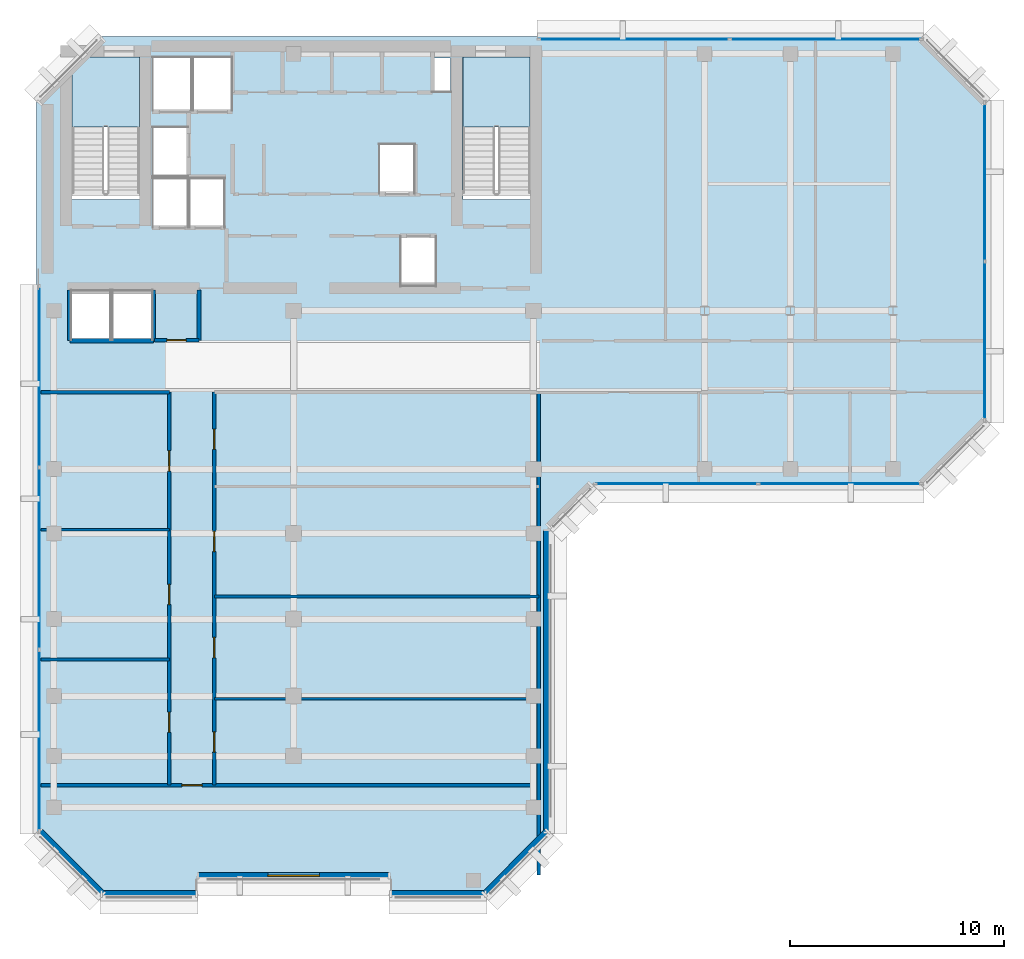
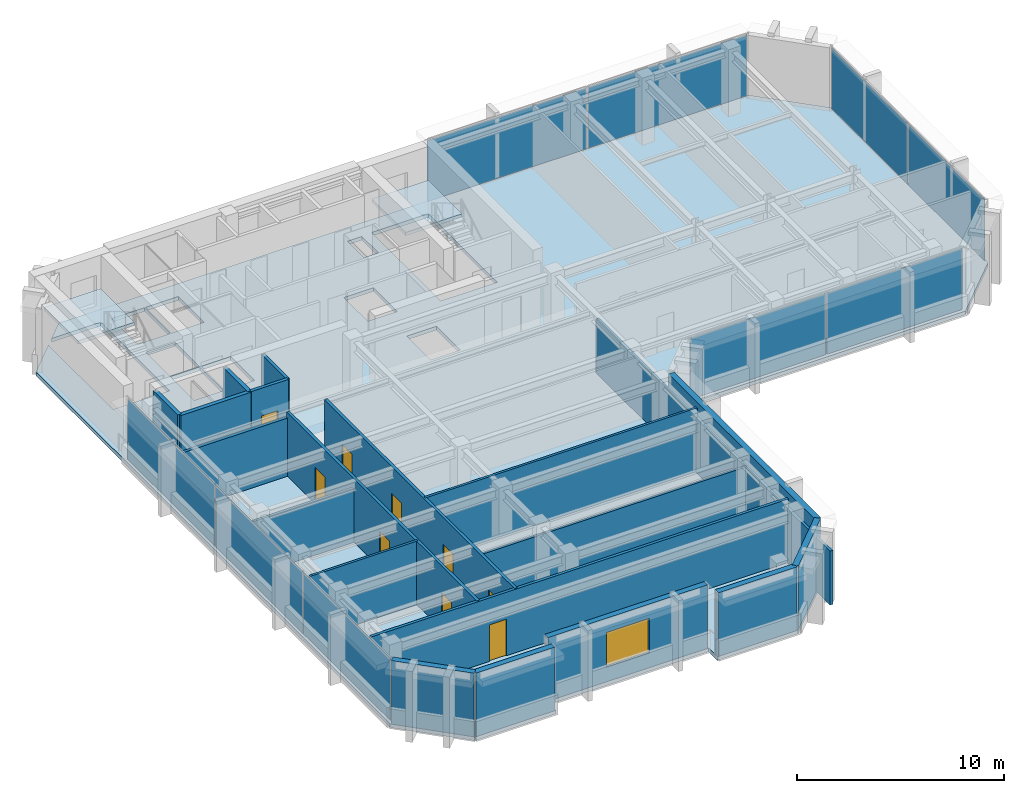
# One storey, part 6 of 12: 20 walls, 9 doors, 9 plates, 3 slabs, 1 window, 10 openings, 6 elements without a shape of their own.
"""IFC4 building model written with IfcOpenShell, lengths in metres."""

from ifc_helpers import new_model, si_unit, direction, frame, frame_2d, origin, origin_2d, place, context, subcontext, project, spatial, polyline, rectangle, outline, extrude, material, layer, layer_set, type_object, element, fill, aggregate, save


model = new_model("IFC4")

# Units and contexts
model_context = context("Model", 3, precision=1e-05, world=origin(), true_north=direction((0.0, 1.0)))
body_context = subcontext(model_context, "Body", "Model", "MODEL_VIEW")
ifc_project = project(units=[si_unit("LENGTHUNIT", "METRE"), si_unit("AREAUNIT", "SQUARE_METRE"), si_unit("VOLUMEUNIT", "CUBIC_METRE"), si_unit("PLANEANGLEUNIT", "RADIAN"), si_unit("MASSUNIT", "GRAM", prefix="KILO")], contexts=[model_context])

# Site, building, storey
site_placement = place(None, origin())
site = spatial("IfcSite", under=ifc_project, at=site_placement, CompositionType="ELEMENT")
building_placement = place(site_placement, origin())
building = spatial("IfcBuilding", under=site, at=building_placement, Name="Kefirva Bronze Tower", CompositionType="ELEMENT")
storey_placement = place(building_placement, frame((0.0, 0.0, 296.010009765625)))
storey = spatial("IfcBuildingStorey", under=building, at=storey_placement, Name="L72", CompositionType="ELEMENT", Elevation=296.010009765625)

# Stair, slab
ifc_material_1 = material(Name="Concrete C40/50", Category="concrete")
stair_type = type_object("IfcStairType", Name="RC Dogleg Protected Stair 24R", PredefinedType="HALF_TURN_STAIR", material=ifc_material_1)
stair_1_placement = place(storey_placement, origin())
stair_1 = element("IfcStair", 1, at=stair_1_placement, inside=storey, type_object=stair_type, Name="L72 Protected Exit Stair 1", PredefinedType="HALF_TURN_STAIR")
ifc_layer_1 = layer(ifc_material_1, 0.199951171875, Name="Concrete C40/50")
ifc_layer_set_1 = layer_set([ifc_layer_1], Name="Concrete C40/50")
slab_type_1 = type_object("IfcSlabType", Name="RC Stair Landing Slab 200mm", PredefinedType="LANDING", material=ifc_layer_set_1)
slab_1_placement = place(storey_placement, frame((0.0, 0.0, 1.780029296875)))
slab_1 = element("IfcSlab", 2, at=slab_1_placement, type_object=slab_type_1, Name="ST-1 landing 1", PredefinedType="LANDING", context=body_context, shape_type="SweptSolid", body=[
    extrude(outline(polyline([(4.800048828125, 41.780029296875), (4.800048828125, 45.050048828125), (1.64990234375, 45.050048828125), (1.64990234375, 41.780029296875), (4.800048828125, 41.780029296875)])), origin(), (0.0, 0.0, 1.0), 0.199951171875),
])
aggregate(stair_1, [slab_1])

stair_2_placement = place(storey_placement, origin())
stair_2 = element("IfcStair", 3, at=stair_2_placement, inside=storey, type_object=stair_type, Name="L72 Protected Exit Stair 2", PredefinedType="HALF_TURN_STAIR")
slab_2_placement = place(storey_placement, frame((0.0, 0.0, 1.780029296875)))
slab_2 = element("IfcSlab", 4, at=slab_2_placement, type_object=slab_type_1, Name="ST-2 landing 1", PredefinedType="LANDING", context=body_context, shape_type="SweptSolid", body=[
    extrude(outline(polyline([(23.050048828125, 41.780029296875), (23.050048828125, 45.050048828125), (19.89990234375, 45.050048828125), (19.89990234375, 41.780029296875), (23.050048828125, 41.780029296875)])), origin(), (0.0, 0.0, 1.0), 0.199951171875),
])
aggregate(stair_2, [slab_2])

# Slab
ifc_layer_2 = layer(ifc_material_1, 0.219970703125, Name="Concrete C40/50")
ifc_layer_set_2 = layer_set([ifc_layer_2], Name="Concrete C40/50")
slab_type_2 = type_object("IfcSlabType", Name="RC Upper Floor Slab 220mm", PredefinedType="FLOOR", material=ifc_layer_set_2)
slab_3_placement = place(storey_placement, frame((0.0, 0.0, -0.219970703125)))
element("IfcSlab", 5, at=slab_3_placement, inside=storey, type_object=slab_type_2, Name="L72 Structural Floor Slab", PredefinedType="FLOOR", context=body_context, shape_type="SweptSolid", body=[
    extrude(outline(polyline([(0.0, 8.800048828125), (0.0, 43.0), (1.64990234375, 44.64990234375), (1.64990234375, 38.39990234375), (4.800048828125, 38.39990234375), (4.800048828125, 45.050048828125), (2.050048828125, 45.050048828125), (3.0, 46.0), (41.39990234375, 46.0), (44.39990234375, 43.0), (44.39990234375, 28.0), (41.39990234375, 25.0), (26.0, 25.0), (24.0, 23.0), (24.0, 8.800048828125), (21.0, 5.800048828125), (16.5, 5.800048828125), (16.5, 6.64990234375), (7.5, 6.64990234375), (7.5, 5.800048828125), (3.0, 5.800048828125), (0.0, 8.800048828125)]), holes=[polyline([(23.050048828125, 45.050048828125), (19.89990234375, 45.050048828125), (19.89990234375, 38.39990234375), (23.050048828125, 38.39990234375), (23.050048828125, 45.050048828125)]), polyline([(19.320068359375, 43.419921875), (19.320068359375, 45.0), (18.52001953125, 45.0), (18.52001953125, 43.419921875), (19.320068359375, 43.419921875)]), polyline([(18.64990234375, 36.64990234375), (17.0, 36.64990234375), (17.0, 34.35009765625), (18.64990234375, 34.35009765625), (18.64990234375, 36.64990234375)]), polyline([(17.64990234375, 38.679931640625), (17.64990234375, 40.97998046875), (16.0, 40.97998046875), (16.0, 38.679931640625), (17.64990234375, 38.679931640625)]), polyline([(9.1201171875, 42.550048828125), (9.1201171875, 45.050048828125), (7.300048828125, 45.050048828125), (7.300048828125, 42.550048828125), (9.1201171875, 42.550048828125)]), polyline([(8.780029296875, 37.10009765625), (8.780029296875, 39.39990234375), (7.139892578125, 39.39990234375), (7.139892578125, 37.10009765625), (8.780029296875, 37.10009765625)]), polyline([(7.239990234375, 42.550048828125), (7.239990234375, 45.050048828125), (5.419921875, 45.050048828125), (5.419921875, 42.550048828125), (7.239990234375, 42.550048828125)]), polyline([(7.06005859375, 37.10009765625), (7.06005859375, 39.39990234375), (5.419921875, 39.39990234375), (5.419921875, 37.10009765625), (7.06005859375, 37.10009765625)]), polyline([(7.06005859375, 41.780029296875), (5.419921875, 41.780029296875), (5.419921875, 39.47998046875), (7.06005859375, 39.47998046875), (7.06005859375, 41.780029296875)]), polyline([(5.39990234375, 31.85009765625), (5.39990234375, 34.14990234375), (3.550048828125, 34.14990234375), (3.550048828125, 31.85009765625), (5.39990234375, 31.85009765625)]), polyline([(3.449951171875, 34.14990234375), (1.60009765625, 34.14990234375), (1.60009765625, 31.85009765625), (3.449951171875, 31.85009765625), (3.449951171875, 34.14990234375)])]), origin(), (0.0, 0.0, 1.0), 0.219970703125),
])

# Curtain wall, plates
ifc_material_2 = material(Name="Bronze anodised aluminium", Category="aluminium")
ifc_layer_3 = layer(ifc_material_2, 0.179931640625, Name="Bronze anodised aluminium")
ifc_layer_set_3 = layer_set([ifc_layer_3], Name="Bronze anodised aluminium")
curtain_wall_type = type_object("IfcCurtainWallType", Name="Unitised Bronze Ribbon Curtain Wall Zone 4", PredefinedType="USERDEFINED", material=ifc_layer_set_3)
curtain_wall_1_placement = place(storey_placement, origin())
curtain_wall_1 = element("IfcCurtainWall", 6, at=curtain_wall_1_placement, inside=storey, type_object=curtain_wall_type, Name="L72 Curtain Wall 1", ObjectType="UNITISED CURTAIN WALL", PredefinedType="USERDEFINED")
ifc_material_3 = material(Name="Laminated low-E double glazing", Category="glass")
ifc_layer_4 = layer(ifc_material_3, 0.031982421875, Name="Laminated low-E double glazing")
ifc_layer_set_4 = layer_set([ifc_layer_4], Name="Laminated low-E double glazing")
plate_type = type_object("IfcPlateType", Name="Solar-Control Low-E Vision Panel 32mm", PredefinedType="CURTAIN_PANEL", material=ifc_layer_set_4)
plate_1_placement = place(storey_placement, frame((29.896240234375, 25.1201171875, 0.07470703125), z_axis=(0.0, 0.0, 1.0), x_axis=(1.0, 0.0, 0.0)))
plate_1 = element("IfcPlate", 7, at=plate_1_placement, type_object=plate_type, Name="CW-04 panel 1.1", PredefinedType="CURTAIN_PANEL", context=body_context, shape_type="SweptSolid", body=[
    extrude(rectangle(XDim=7.532470703125, YDim=0.031982421875, at=origin_2d()), origin(), (0.0, 0.0, 1.0), 3.590087890625),
])
plate_2_placement = place(storey_placement, frame((37.503662109375, 25.1201171875, 0.07470703125), z_axis=(0.0, 0.0, 1.0), x_axis=(1.0, 0.0, 0.0)))
plate_2 = element("IfcPlate", 8, at=plate_2_placement, type_object=plate_type, Name="CW-04 panel 2.1", PredefinedType="CURTAIN_PANEL", context=body_context, shape_type="SweptSolid", body=[
    extrude(rectangle(XDim=7.532470703125, YDim=0.031982421875, at=origin_2d()), origin(), (0.0, 0.0, 1.0), 3.590087890625),
])
aggregate(curtain_wall_1, [plate_1, plate_2])

curtain_wall_2_placement = place(storey_placement, origin())
curtain_wall_2 = element("IfcCurtainWall", 9, at=curtain_wall_2_placement, inside=storey, type_object=curtain_wall_type, Name="L72 Curtain Wall 2", ObjectType="UNITISED CURTAIN WALL", PredefinedType="USERDEFINED")
plate_3_placement = place(storey_placement, frame((44.280029296875, 31.796142578125, 0.07470703125), z_axis=(0.0, 0.0, 1.0), x_axis=(0.0, 1.0, 0.0)))
plate_3 = element("IfcPlate", 10, at=plate_3_placement, type_object=plate_type, Name="CW-04 panel 1.1", PredefinedType="CURTAIN_PANEL", context=body_context, shape_type="SweptSolid", body=[
    extrude(rectangle(XDim=7.33251953125, YDim=0.031982421875, at=origin_2d()), origin(), (0.0, 0.0, 1.0), 3.590087890625),
])
plate_4_placement = place(storey_placement, frame((44.280029296875, 39.203857421875, 0.07470703125), z_axis=(0.0, 0.0, 1.0), x_axis=(0.0, 1.0, 0.0)))
plate_4 = element("IfcPlate", 11, at=plate_4_placement, type_object=plate_type, Name="CW-04 panel 2.1", PredefinedType="CURTAIN_PANEL", context=body_context, shape_type="SweptSolid", body=[
    extrude(rectangle(XDim=7.33251953125, YDim=0.031982421875, at=origin_2d()), origin(), (0.0, 0.0, 1.0), 3.590087890625),
])
aggregate(curtain_wall_2, [plate_3, plate_4])

curtain_wall_3_placement = place(storey_placement, origin())
curtain_wall_3 = element("IfcCurtainWall", 12, at=curtain_wall_3_placement, inside=storey, type_object=curtain_wall_type, Name="L72 Curtain Wall 3", ObjectType="UNITISED CURTAIN WALL", PredefinedType="USERDEFINED")
plate_5_placement = place(storey_placement, frame((36.84130859375, 45.8798828125, 0.07470703125), z_axis=(0.0, 0.0, 1.0), x_axis=(-1.0, 0.0, 0.0)))
plate_5 = element("IfcPlate", 13, at=plate_5_placement, type_object=plate_type, Name="CW-04 panel 1.1", PredefinedType="CURTAIN_PANEL", context=body_context, shape_type="SweptSolid", body=[
    extrude(rectangle(XDim=8.857421875, YDim=0.031982421875, at=origin_2d()), origin(), (0.0, 0.0, 1.0), 3.590087890625),
])
plate_6_placement = place(storey_placement, frame((27.90869140625, 45.8798828125, 0.07470703125), z_axis=(0.0, 0.0, 1.0), x_axis=(-1.0, 0.0, 0.0)))
plate_6 = element("IfcPlate", 14, at=plate_6_placement, type_object=plate_type, Name="CW-04 panel 2.1", PredefinedType="CURTAIN_PANEL", context=body_context, shape_type="SweptSolid", body=[
    extrude(rectangle(XDim=8.857421875, YDim=0.031982421875, at=origin_2d()), origin(), (0.0, 0.0, 1.0), 3.590087890625),
])
aggregate(curtain_wall_3, [plate_5, plate_6])

curtain_wall_4_placement = place(storey_placement, origin())
curtain_wall_4 = element("IfcCurtainWall", 15, at=curtain_wall_4_placement, inside=storey, type_object=curtain_wall_type, Name="L72 Curtain Wall 4", ObjectType="UNITISED CURTAIN WALL", PredefinedType="USERDEFINED")
plate_7_placement = place(storey_placement, frame((0.1201171875, 30.11962890625, 0.07470703125), z_axis=(0.0, 0.0, 1.0), x_axis=(0.0, -1.0, 0.0)))
plate_7 = element("IfcPlate", 16, at=plate_7_placement, type_object=plate_type, Name="CW-04 panel 1.1", PredefinedType="CURTAIN_PANEL", context=body_context, shape_type="SweptSolid", body=[
    extrude(rectangle(XDim=8.40087890625, YDim=0.031982421875, at=origin_2d()), origin(), (0.0, 0.0, 1.0), 3.590087890625),
])
plate_8_placement = place(storey_placement, frame((0.1201171875, 21.625, 0.07470703125), z_axis=(0.0, 0.0, 1.0), x_axis=(0.0, -1.0, 0.0)))
plate_8 = element("IfcPlate", 17, at=plate_8_placement, type_object=plate_type, Name="CW-04 panel 2.1", PredefinedType="CURTAIN_PANEL", context=body_context, shape_type="SweptSolid", body=[
    extrude(rectangle(XDim=8.438232421875, YDim=0.031982421875, at=origin_2d()), origin(), (0.0, 0.0, 1.0), 3.590087890625),
])
plate_9_placement = place(storey_placement, frame((0.1201171875, 13.13037109375, 0.07470703125), z_axis=(0.0, 0.0, 1.0), x_axis=(0.0, -1.0, 0.0)))
plate_9 = element("IfcPlate", 18, at=plate_9_placement, type_object=plate_type, Name="CW-04 panel 3.1", PredefinedType="CURTAIN_PANEL", context=body_context, shape_type="SweptSolid", body=[
    extrude(rectangle(XDim=8.40087890625, YDim=0.031982421875, at=origin_2d()), origin(), (0.0, 0.0, 1.0), 3.590087890625),
])
aggregate(curtain_wall_4, [plate_7, plate_8, plate_9])

# Walls
ifc_material_4 = material(Name="Gypsum acoustic partition")
ifc_layer_5 = layer(ifc_material_4, 0.1298828125, Name="Gypsum acoustic partition")
ifc_layer_set_5 = layer_set([ifc_layer_5], Name="Gypsum acoustic partition")
wall_type_1 = type_object("IfcWallType", Name="Acoustic Office Partition 130mm", PredefinedType="PARTITIONING", material=ifc_layer_set_5)
wall_1_placement = place(storey_placement, frame((0.18994140625, 16.915283203125, 0.0), z_axis=(0.0, 0.0, 1.0), x_axis=(1.0, 0.0, 0.0)))
element("IfcWall", 19, at=wall_1_placement, inside=storey, type_object=wall_type_1, Name="L72 Partition W-L72-SWD1", PredefinedType="PARTITIONING", context=body_context, shape_type="SweptSolid", body=[
    extrude(rectangle(XDim=6.010009765625, YDim=0.1298828125, at=frame_2d((3.0048828125, 0.0))), origin(), (0.0, 0.0, 1.0), 3.739990234375),
])
wall_2_placement = place(storey_placement, frame((0.18994140625, 22.97412109375, 0.0), z_axis=(0.0, 0.0, 1.0), x_axis=(1.0, 0.0, 0.0)))
element("IfcWall", 20, at=wall_2_placement, inside=storey, type_object=wall_type_1, Name="L72 Partition W-L72-SWD2", PredefinedType="PARTITIONING", context=body_context, shape_type="SweptSolid", body=[
    extrude(rectangle(XDim=6.010009765625, YDim=0.1298828125, at=frame_2d((3.0048828125, 0.0))), origin(), (0.0, 0.0, 1.0), 3.175048828125),
])
wall_3_placement = place(storey_placement, frame((8.300048828125, 15.0791015625, 0.0), z_axis=(0.0, 0.0, 1.0), x_axis=(1.0, 0.0, 0.0)))
element("IfcWall", 21, at=wall_3_placement, inside=storey, type_object=wall_type_1, Name="L72 Partition W-L72-SED1", PredefinedType="PARTITIONING", context=body_context, shape_type="SweptSolid", body=[
    extrude(rectangle(XDim=15.14990234375, YDim=0.1298828125, at=frame_2d((7.574951171875, 0.0))), origin(), (0.0, 0.0, 1.0), 3.175048828125),
])
wall_4_placement = place(storey_placement, frame((8.300048828125, 19.852783203125, 0.0), z_axis=(0.0, 0.0, 1.0), x_axis=(1.0, 0.0, 0.0)))
element("IfcWall", 22, at=wall_4_placement, inside=storey, type_object=wall_type_1, Name="L72 Partition W-L72-SED2", PredefinedType="PARTITIONING", context=body_context, shape_type="SweptSolid", body=[
    extrude(rectangle(XDim=15.14990234375, YDim=0.1298828125, at=frame_2d((7.574951171875, 0.0))), origin(), (0.0, 0.0, 1.0), 3.739990234375),
])
ifc_material_5 = material(Name="Gypsum fireboard shaftwall")
ifc_layer_6 = layer(ifc_material_5, 0.219970703125, Name="Gypsum fireboard shaftwall")
ifc_layer_set_6 = layer_set([ifc_layer_6], Name="Gypsum fireboard shaftwall")
wall_type_2 = type_object("IfcWallType", Name="Fire-Rated Shaft Enclosure Wall 220mm", PredefinedType="PARTITIONING", material=ifc_layer_set_6)
wall_5_placement = place(storey_placement, frame((1.550048828125, 31.800048828125, 0.0), z_axis=(0.0, 0.0, 1.0), x_axis=(1.0, 0.0, 0.0)))
element("IfcWall", 23, at=wall_5_placement, inside=storey, type_object=wall_type_2, Name="L72 Partition W-L72-OBS", PredefinedType="PARTITIONING", context=body_context, shape_type="SweptSolid", body=[
    extrude(rectangle(XDim=3.89990234375, YDim=0.219970703125, at=frame_2d((1.949951171875, 0.0))), origin(), (0.0, 0.0, 1.0), 3.739990234375),
])
for number, where, z_axis, x_axis, name in (
    (24, (1.550048828125, 31.800048828125, 0.0), (0.0, 0.0, 1.0), (0.0, 1.0, 0.0), "L72 Partition W-L72-OBW"),
    (25, (5.449951171875, 31.800048828125, 0.0), (0.0, 0.0, 1.0), (0.0, 1.0, 0.0), "L72 Partition W-L72-OBE"),
):
    element("IfcWall", number, at=place(storey_placement, frame(where, z_axis=z_axis, x_axis=x_axis)), inside=storey, type_object=wall_type_2, Name=name, PredefinedType="PARTITIONING", context=body_context, shape_type="SweptSolid", body=[
        extrude(rectangle(XDim=2.3798828125, YDim=0.219970703125, at=frame_2d((1.18994140625, 0.0))), origin(), (0.0, 0.0, 1.0), 3.739990234375),
    ])
ifc_material_6 = material(Name="Precast concrete C40/50", Category="concrete")
ifc_layer_7 = layer(ifc_material_6, 0.320068359375, Name="Precast concrete C40/50")
ifc_layer_set_7 = layer_set([ifc_layer_7], Name="Precast concrete C40/50")
wall_type_3 = type_object("IfcWallType", Name="Precast Insulated Exterior Wall 320mm", PredefinedType="SOLIDWALL", material=ifc_layer_set_7)
wall_6_placement = place(storey_placement, frame((3.054931640625, 5.9599609375, 0.0), z_axis=(0.0, 0.0, 1.0), x_axis=(1.0, 0.0, 0.0)))
element("IfcWall", 26, at=wall_6_placement, inside=storey, type_object=wall_type_3, Name="L72 Exterior Facade Wall 1", PredefinedType="SOLIDWALL", context=body_context, shape_type="SweptSolid", body=[
    extrude(rectangle(XDim=4.39013671875, YDim=0.320068359375, at=frame_2d((2.195068359375, 0.0))), origin(), (0.0, 0.0, 1.0), 3.739990234375),
])

# Wall, opening, window
wall_7_placement = place(storey_placement, frame((7.554931640625, 6.81005859375, 0.0), z_axis=(0.0, 0.0, 1.0), x_axis=(1.0, 0.0, 0.0)))
wall_7 = element("IfcWall", 27, at=wall_7_placement, inside=storey, type_object=wall_type_3, Name="L72 Exterior Facade Wall 2", PredefinedType="SOLIDWALL", context=body_context, shape_type="SweptSolid", body=[
    extrude(rectangle(XDim=8.89013671875, YDim=0.320068359375, at=frame_2d((4.445068359375, 0.0))), origin(), (0.0, 0.0, 1.0), 3.739990234375),
])
opening_1_placement = place(wall_7_placement, frame((3.2451171875, 0.0, 0.85009765625)))
opening_1 = element("IfcOpeningElement", 28, at=opening_1_placement, cuts=wall_7, Name="Opening WN-01", PredefinedType="OPENING", context=body_context, shape_type="SweptSolid", body=[
    extrude(rectangle(XDim=2.39990234375, YDim=2.050048828125, at=frame_2d((1.199951171875, 1.02490234375))), frame((0.0, 0.169921875, 0.0), z_axis=(0.0, -1.0, 0.0), x_axis=(1.0, 0.0, 0.0)), (0.0, 0.0, 1.0), 0.340087890625),
])
window_type = type_object("IfcWindowType", Name="Streamline Ribbon Window 2400x2050", PartitioningType="SINGLE_PANEL", PredefinedType="WINDOW", material=ifc_material_3)
window_placement = place(opening_1_placement, origin())
window = element("IfcWindow", 29, at=window_placement, inside=storey, type_object=window_type, Name="L72 Ribbon Window 2", OverallHeight=2.050048828125, OverallWidth=2.39990234375, PartitioningType="SINGLE_PANEL", PredefinedType="WINDOW", context=body_context, shape_type="SweptSolid", body=[
    extrude(rectangle(XDim=2.39990234375, YDim=2.050048828125, at=frame_2d((1.199951171875, 1.02490234375))), frame((0.0, 0.030029296875, 0.0), z_axis=(0.0, -1.0, 0.0), x_axis=(1.0, 0.0, 0.0)), (0.0, 0.0, 1.0), 0.06005859375),
])
fill(opening_1, window)

# Walls
wall_8_placement = place(storey_placement, frame((16.554931640625, 5.9599609375, 0.0), z_axis=(0.0, 0.0, 1.0), x_axis=(1.0, 0.0, 0.0)))
element("IfcWall", 30, at=wall_8_placement, inside=storey, type_object=wall_type_3, Name="L72 Exterior Facade Wall 3", PredefinedType="SOLIDWALL", context=body_context, shape_type="SweptSolid", body=[
    extrude(rectangle(XDim=4.39013671875, YDim=0.320068359375, at=frame_2d((2.195068359375, 0.0))), origin(), (0.0, 0.0, 1.0), 3.739990234375),
])
wall_9_placement = place(storey_placement, frame((20.92578125, 5.951904296875, 0.0), z_axis=(0.0, 0.0, 1.0), x_axis=(0.707077242712, 0.707136318428, 0.0)))
element("IfcWall", 31, at=wall_9_placement, inside=storey, type_object=wall_type_3, Name="L72 Exterior Facade Wall 4", PredefinedType="SOLIDWALL", context=body_context, shape_type="SweptSolid", body=[
    extrude(rectangle(XDim=4.132568359375, YDim=0.320068359375, at=frame_2d((2.06640625, 0.0))), origin(), (0.0, 0.0, 1.0), 3.739990234375),
])
wall_10_placement = place(storey_placement, frame((23.840087890625, 8.85498046875, 0.0), z_axis=(0.0, 0.0, 1.0), x_axis=(0.0, 1.0, 0.0)))
element("IfcWall", 32, at=wall_10_placement, inside=storey, type_object=wall_type_3, Name="L72 Exterior Facade Wall 5", PredefinedType="SOLIDWALL", context=body_context, shape_type="SweptSolid", body=[
    extrude(rectangle(XDim=14.090087890625, YDim=0.320068359375, at=frame_2d((7.044921875, 0.0))), origin(), (0.0, 0.0, 1.0), 3.739990234375),
])
wall_11_placement = place(storey_placement, frame((0.152099609375, 8.874267578125, 0.0), z_axis=(0.0, 0.0, 1.0), x_axis=(0.707077242712, -0.707136318428, 0.0)))
element("IfcWall", 33, at=wall_11_placement, inside=storey, type_object=wall_type_3, Name="L72 Exterior Facade Wall 10", PredefinedType="SOLIDWALL", context=body_context, shape_type="SweptSolid", body=[
    extrude(rectangle(XDim=4.132568359375, YDim=0.320068359375, at=frame_2d((2.06640625, 0.0))), origin(), (0.0, 0.0, 1.0), 3.739990234375),
])

# Wall, openings, doors
ifc_layer_8 = layer(ifc_material_4, 0.159912109375, Name="Gypsum acoustic partition")
ifc_layer_set_8 = layer_set([ifc_layer_8], Name="Gypsum acoustic partition")
wall_type_4 = type_object("IfcWallType", Name="Protected Corridor Partition 160mm", PredefinedType="PARTITIONING", material=ifc_layer_set_8)
wall_12_placement = place(storey_placement, frame((6.199951171875, 11.0400390625, 0.0), z_axis=(0.0, 0.0, 1.0), x_axis=(0.0, 1.0, 0.0)))
wall_12 = element("IfcWall", 34, at=wall_12_placement, inside=storey, type_object=wall_type_4, Name="L72 Partition W-L72-SWCORW", PredefinedType="PARTITIONING", context=body_context, shape_type="SweptSolid", body=[
    extrude(rectangle(XDim=18.35986328125, YDim=0.159912109375, at=frame_2d((9.179931640625, 0.0))), origin(), (0.0, 0.0, 1.0), 3.739990234375),
])
opening_2_placement = place(wall_12_placement, frame((3.41259765625, 0.0, 0.0), z_axis=(0.0, 0.0, 1.0), x_axis=(-1.0, 0.0, 0.0)))
opening_2 = element("IfcOpeningElement", 35, at=opening_2_placement, cuts=wall_12, Name="Opening L72-D-SW1", PredefinedType="OPENING", context=body_context, shape_type="SweptSolid", body=[
    extrude(rectangle(XDim=0.949951171875, YDim=2.14990234375, at=frame_2d((0.47509765625, 1.074951171875))), frame((0.0, 0.08984375, 0.0), z_axis=(0.0, -1.0, 0.0), x_axis=(1.0, 0.0, 0.0)), (0.0, 0.0, 1.0), 0.179931640625),
])
opening_3_placement = place(wall_12_placement, frame((9.379638671875, 0.0, 0.0), z_axis=(0.0, 0.0, 1.0), x_axis=(-1.0, 0.0, 0.0)))
opening_3 = element("IfcOpeningElement", 36, at=opening_3_placement, cuts=wall_12, Name="Opening L72-D-SW2", PredefinedType="OPENING", context=body_context, shape_type="SweptSolid", body=[
    extrude(rectangle(XDim=0.949951171875, YDim=2.14990234375, at=frame_2d((0.47509765625, 1.074951171875))), frame((0.0, 0.08984375, 0.0), z_axis=(0.0, -1.0, 0.0), x_axis=(1.0, 0.0, 0.0)), (0.0, 0.0, 1.0), 0.179931640625),
])
opening_4_placement = place(wall_12_placement, frame((15.6220703125, 0.0, 0.0), z_axis=(0.0, 0.0, 1.0), x_axis=(-1.0, 0.0, 0.0)))
opening_4 = element("IfcOpeningElement", 37, at=opening_4_placement, cuts=wall_12, Name="Opening L72-D-SW3", PredefinedType="OPENING", context=body_context, shape_type="SweptSolid", body=[
    extrude(rectangle(XDim=0.949951171875, YDim=2.14990234375, at=frame_2d((0.47509765625, 1.074951171875))), frame((0.0, 0.08984375, 0.0), z_axis=(0.0, -1.0, 0.0), x_axis=(1.0, 0.0, 0.0)), (0.0, 0.0, 1.0), 0.179931640625),
])
ifc_material_7 = material(Name="Acoustic hardwood oak", Category="wood")
door_type_1 = type_object("IfcDoorType", Name="Office & Meeting Room Door 950x2150", OperationType="NOTDEFINED", PredefinedType="DOOR", material=ifc_material_7)
door_1_placement = place(opening_2_placement, origin())
door_1 = element("IfcDoor", 38, at=door_1_placement, inside=storey, type_object=door_type_1, Name="Door L72-D-SW1", OperationType="SINGLE_SWING_RIGHT", OverallHeight=2.14990234375, OverallWidth=0.949951171875, PredefinedType="DOOR", context=body_context, shape_type="SweptSolid", body=[
    extrude(rectangle(XDim=0.949951171875, YDim=2.14990234375, at=frame_2d((0.47509765625, 1.074951171875))), frame((0.0, 0.02490234375, 0.0), z_axis=(0.0, -1.0, 0.0), x_axis=(1.0, 0.0, 0.0)), (0.0, 0.0, 1.0), 0.050048828125),
])
fill(opening_2, door_1)
door_2_placement = place(opening_3_placement, origin())
door_2 = element("IfcDoor", 39, at=door_2_placement, inside=storey, type_object=door_type_1, Name="Door L72-D-SW2", OperationType="SINGLE_SWING_LEFT", OverallHeight=2.14990234375, OverallWidth=0.949951171875, PredefinedType="DOOR", context=body_context, shape_type="SweptSolid", body=[
    extrude(rectangle(XDim=0.949951171875, YDim=2.14990234375, at=frame_2d((0.47509765625, 1.074951171875))), frame((0.0, 0.02490234375, 0.0), z_axis=(0.0, -1.0, 0.0), x_axis=(1.0, 0.0, 0.0)), (0.0, 0.0, 1.0), 0.050048828125),
])
fill(opening_3, door_2)
door_3_placement = place(opening_4_placement, origin())
door_3 = element("IfcDoor", 40, at=door_3_placement, inside=storey, type_object=door_type_1, Name="Door L72-D-SW3", OperationType="SINGLE_SWING_RIGHT", OverallHeight=2.14990234375, OverallWidth=0.949951171875, PredefinedType="DOOR", context=body_context, shape_type="SweptSolid", body=[
    extrude(rectangle(XDim=0.949951171875, YDim=2.14990234375, at=frame_2d((0.47509765625, 1.074951171875))), frame((0.0, 0.02490234375, 0.0), z_axis=(0.0, -1.0, 0.0), x_axis=(1.0, 0.0, 0.0)), (0.0, 0.0, 1.0), 0.050048828125),
])
fill(opening_4, door_3)

wall_13_placement = place(storey_placement, frame((8.300048828125, 11.0400390625, 0.0), z_axis=(0.0, 0.0, 1.0), x_axis=(0.0, 1.0, 0.0)))
wall_13 = element("IfcWall", 41, at=wall_13_placement, inside=storey, type_object=wall_type_4, Name="L72 Partition W-L72-SECORE", PredefinedType="PARTITIONING", context=body_context, shape_type="SweptSolid", body=[
    extrude(rectangle(XDim=18.35986328125, YDim=0.159912109375, at=frame_2d((9.179931640625, 0.0))), origin(), (0.0, 0.0, 1.0), 3.739990234375),
])
opening_5_placement = place(wall_13_placement, frame((1.544677734375, 0.0, 0.0)))
opening_5 = element("IfcOpeningElement", 42, at=opening_5_placement, cuts=wall_13, Name="Opening L72-D-SE1", PredefinedType="OPENING", context=body_context, shape_type="SweptSolid", body=[
    extrude(rectangle(XDim=0.949951171875, YDim=2.14990234375, at=frame_2d((0.47509765625, 1.074951171875))), frame((0.0, 0.08984375, 0.0), z_axis=(0.0, -1.0, 0.0), x_axis=(1.0, 0.0, 0.0)), (0.0, 0.0, 1.0), 0.179931640625),
])
opening_6_placement = place(wall_13_placement, frame((5.950927734375, 0.0, 0.0)))
opening_6 = element("IfcOpeningElement", 43, at=opening_6_placement, cuts=wall_13, Name="Opening L72-D-SE2", PredefinedType="OPENING", context=body_context, shape_type="SweptSolid", body=[
    extrude(rectangle(XDim=0.949951171875, YDim=2.14990234375, at=frame_2d((0.47509765625, 1.074951171875))), frame((0.0, 0.08984375, 0.0), z_axis=(0.0, -1.0, 0.0), x_axis=(1.0, 0.0, 0.0)), (0.0, 0.0, 1.0), 0.179931640625),
])
opening_7_placement = place(wall_13_placement, frame((10.908203125, 0.0, 0.0)))
opening_7 = element("IfcOpeningElement", 44, at=opening_7_placement, cuts=wall_13, Name="Opening L72-D-SE3", PredefinedType="OPENING", context=body_context, shape_type="SweptSolid", body=[
    extrude(rectangle(XDim=0.949951171875, YDim=2.14990234375, at=frame_2d((0.47509765625, 1.074951171875))), frame((0.0, 0.08984375, 0.0), z_axis=(0.0, -1.0, 0.0), x_axis=(1.0, 0.0, 0.0)), (0.0, 0.0, 1.0), 0.179931640625),
])
opening_8_placement = place(wall_13_placement, frame((15.681884765625, 0.0, 0.0)))
opening_8 = element("IfcOpeningElement", 45, at=opening_8_placement, cuts=wall_13, Name="Opening L72-D-SE4", PredefinedType="OPENING", context=body_context, shape_type="SweptSolid", body=[
    extrude(rectangle(XDim=0.949951171875, YDim=2.14990234375, at=frame_2d((0.47509765625, 1.074951171875))), frame((0.0, 0.08984375, 0.0), z_axis=(0.0, -1.0, 0.0), x_axis=(1.0, 0.0, 0.0)), (0.0, 0.0, 1.0), 0.179931640625),
])
door_4_placement = place(opening_5_placement, origin())
door_4 = element("IfcDoor", 46, at=door_4_placement, inside=storey, type_object=door_type_1, Name="Door L72-D-SE1", OperationType="SINGLE_SWING_LEFT", OverallHeight=2.14990234375, OverallWidth=0.949951171875, PredefinedType="DOOR", context=body_context, shape_type="SweptSolid", body=[
    extrude(rectangle(XDim=0.949951171875, YDim=2.14990234375, at=frame_2d((0.47509765625, 1.074951171875))), frame((0.0, 0.02490234375, 0.0), z_axis=(0.0, -1.0, 0.0), x_axis=(1.0, 0.0, 0.0)), (0.0, 0.0, 1.0), 0.050048828125),
])
fill(opening_5, door_4)
door_5_placement = place(opening_6_placement, origin())
door_5 = element("IfcDoor", 47, at=door_5_placement, inside=storey, type_object=door_type_1, Name="Door L72-D-SE2", OperationType="SINGLE_SWING_RIGHT", OverallHeight=2.14990234375, OverallWidth=0.949951171875, PredefinedType="DOOR", context=body_context, shape_type="SweptSolid", body=[
    extrude(rectangle(XDim=0.949951171875, YDim=2.14990234375, at=frame_2d((0.47509765625, 1.074951171875))), frame((0.0, 0.02490234375, 0.0), z_axis=(0.0, -1.0, 0.0), x_axis=(1.0, 0.0, 0.0)), (0.0, 0.0, 1.0), 0.050048828125),
])
fill(opening_6, door_5)
door_6_placement = place(opening_7_placement, origin())
door_6 = element("IfcDoor", 48, at=door_6_placement, inside=storey, type_object=door_type_1, Name="Door L72-D-SE3", OperationType="SINGLE_SWING_LEFT", OverallHeight=2.14990234375, OverallWidth=0.949951171875, PredefinedType="DOOR", context=body_context, shape_type="SweptSolid", body=[
    extrude(rectangle(XDim=0.949951171875, YDim=2.14990234375, at=frame_2d((0.47509765625, 1.074951171875))), frame((0.0, 0.02490234375, 0.0), z_axis=(0.0, -1.0, 0.0), x_axis=(1.0, 0.0, 0.0)), (0.0, 0.0, 1.0), 0.050048828125),
])
fill(opening_7, door_6)
door_7_placement = place(opening_8_placement, origin())
door_7 = element("IfcDoor", 49, at=door_7_placement, inside=storey, type_object=door_type_1, Name="Door L72-D-SE4", OperationType="SINGLE_SWING_RIGHT", OverallHeight=2.14990234375, OverallWidth=0.949951171875, PredefinedType="DOOR", context=body_context, shape_type="SweptSolid", body=[
    extrude(rectangle(XDim=0.949951171875, YDim=2.14990234375, at=frame_2d((0.47509765625, 1.074951171875))), frame((0.0, 0.02490234375, 0.0), z_axis=(0.0, -1.0, 0.0), x_axis=(1.0, 0.0, 0.0)), (0.0, 0.0, 1.0), 0.050048828125),
])
fill(opening_8, door_7)

# Wall, opening, door
wall_14_placement = place(storey_placement, frame((0.18994140625, 11.0400390625, 0.0), z_axis=(0.0, 0.0, 1.0), x_axis=(1.0, 0.0, 0.0)))
wall_14 = element("IfcWall", 50, at=wall_14_placement, inside=storey, type_object=wall_type_4, Name="L72 Partition W-L72-SBEND", PredefinedType="PARTITIONING", context=body_context, shape_type="SweptSolid", body=[
    extrude(rectangle(XDim=23.260009765625, YDim=0.159912109375, at=frame_2d((11.6298828125, 0.0))), origin(), (0.0, 0.0, 1.0), 3.739990234375),
])
opening_9_placement = place(wall_14_placement, frame((6.590087890625, 0.0, 0.0)))
opening_9 = element("IfcOpeningElement", 51, at=opening_9_placement, cuts=wall_14, Name="Opening L72-D-SEND1", PredefinedType="OPENING", context=body_context, shape_type="SweptSolid", body=[
    extrude(rectangle(XDim=0.949951171875, YDim=2.14990234375, at=frame_2d((0.47509765625, 1.074951171875))), frame((0.0, 0.08984375, 0.0), z_axis=(0.0, -1.0, 0.0), x_axis=(1.0, 0.0, 0.0)), (0.0, 0.0, 1.0), 0.179931640625),
])
door_8_placement = place(opening_9_placement, origin())
door_8 = element("IfcDoor", 52, at=door_8_placement, inside=storey, type_object=door_type_1, Name="Door L72-D-SEND1", OperationType="SINGLE_SWING_LEFT", OverallHeight=2.14990234375, OverallWidth=0.949951171875, PredefinedType="DOOR", context=body_context, shape_type="SweptSolid", body=[
    extrude(rectangle(XDim=0.949951171875, YDim=2.14990234375, at=frame_2d((0.47509765625, 1.074951171875))), frame((0.0, 0.02490234375, 0.0), z_axis=(0.0, -1.0, 0.0), x_axis=(1.0, 0.0, 0.0)), (0.0, 0.0, 1.0), 0.050048828125),
])
fill(opening_9, door_8)

# Walls
wall_15_placement = place(storey_placement, frame((0.18994140625, 29.39990234375, 0.0), z_axis=(0.0, 0.0, 1.0), x_axis=(1.0, 0.0, 0.0)))
element("IfcWall", 53, at=wall_15_placement, inside=storey, type_object=wall_type_4, Name="L72 Partition W-L72-NWT", PredefinedType="PARTITIONING", context=body_context, shape_type="SweptSolid", body=[
    extrude(rectangle(XDim=6.010009765625, YDim=0.159912109375, at=frame_2d((3.0048828125, 0.0))), origin(), (0.0, 0.0, 1.0), 3.425048828125),
])
wall_16_placement = place(storey_placement, frame((23.449951171875, 6.840087890625, 0.0), z_axis=(0.0, 0.0, 1.0), x_axis=(0.0, 1.0, 0.0)))
element("IfcWall", 54, at=wall_16_placement, inside=storey, type_object=wall_type_4, Name="L72 Partition W-L72-SWEAST", PredefinedType="PARTITIONING", context=body_context, shape_type="SweptSolid", body=[
    extrude(rectangle(XDim=22.559814453125, YDim=0.159912109375, at=frame_2d((11.27978515625, 0.0))), origin(), (0.0, 0.0, 1.0), 3.175048828125),
])

# Wall, opening, door
ifc_material_8 = material(Name="Moisture-resistant partition")
ifc_layer_9 = layer(ifc_material_8, 0.179931640625, Name="Moisture-resistant partition")
ifc_layer_set_9 = layer_set([ifc_layer_9], Name="Moisture-resistant partition")
wall_type_5 = type_object("IfcWallType", Name="Sanitary Plumbing Chase Wall 180mm", PredefinedType="PLUMBINGWALL", material=ifc_layer_set_9)
wall_17_placement = place(storey_placement, frame((5.5, 31.820068359375, 0.0), z_axis=(0.0, 0.0, 1.0), x_axis=(1.0, 0.0, 0.0)))
wall_17 = element("IfcWall", 55, at=wall_17_placement, inside=storey, type_object=wall_type_5, Name="L72 Partition W-L72-TCS", PredefinedType="PLUMBINGWALL", context=body_context, shape_type="SweptSolid", body=[
    extrude(rectangle(XDim=2.080078125, YDim=0.179931640625, at=frame_2d((1.0400390625, 0.0))), origin(), (0.0, 0.0, 1.0), 3.739990234375),
])
opening_10_placement = place(wall_17_placement, frame((1.47998046875, 0.0, 0.0), z_axis=(0.0, 0.0, 1.0), x_axis=(-1.0, 0.0, 0.0)))
opening_10 = element("IfcOpeningElement", 56, at=opening_10_placement, cuts=wall_17, Name="Opening L72-D-TCL1", PredefinedType="OPENING", context=body_context, shape_type="SweptSolid", body=[
    extrude(rectangle(XDim=0.89990234375, YDim=2.10009765625, at=frame_2d((0.449951171875, 1.050048828125))), frame((0.0, 0.10009765625, 0.0), z_axis=(0.0, -1.0, 0.0), x_axis=(1.0, 0.0, 0.0)), (0.0, 0.0, 1.0), 0.199951171875),
])
ifc_material_9 = material(Name="Painted galvanized steel", Category="steel")
door_type_2 = type_object("IfcDoorType", Name="Telecom & Meter Fire Door 900x2100 FD60S", OperationType="NOTDEFINED", PredefinedType="DOOR", material=ifc_material_9)
door_9_placement = place(opening_10_placement, origin())
door_9 = element("IfcDoor", 57, at=door_9_placement, inside=storey, type_object=door_type_2, Name="Door L72-D-TCL1", OperationType="SINGLE_SWING_LEFT", OverallHeight=2.10009765625, OverallWidth=0.89990234375, PredefinedType="DOOR", context=body_context, shape_type="SweptSolid", body=[
    extrude(rectangle(XDim=0.89990234375, YDim=2.10009765625, at=frame_2d((0.449951171875, 1.050048828125))), frame((0.0, 0.02490234375, 0.0), z_axis=(0.0, -1.0, 0.0), x_axis=(1.0, 0.0, 0.0)), (0.0, 0.0, 1.0), 0.050048828125),
])
fill(opening_10, door_9)

# Wall
wall_18_placement = place(storey_placement, frame((7.580078125, 31.820068359375, 0.0), z_axis=(0.0, 0.0, 1.0), x_axis=(0.0, 1.0, 0.0)))
element("IfcWall", 58, at=wall_18_placement, inside=storey, type_object=wall_type_5, Name="L72 Partition W-L72-TCE", PredefinedType="PLUMBINGWALL", context=body_context, shape_type="SweptSolid", body=[
    extrude(rectangle(XDim=2.35986328125, YDim=0.179931640625, at=frame_2d((1.179931640625, 0.0))), origin(), (0.0, 0.0, 1.0), 3.739990234375),
])

save(model, "model.ifc")
